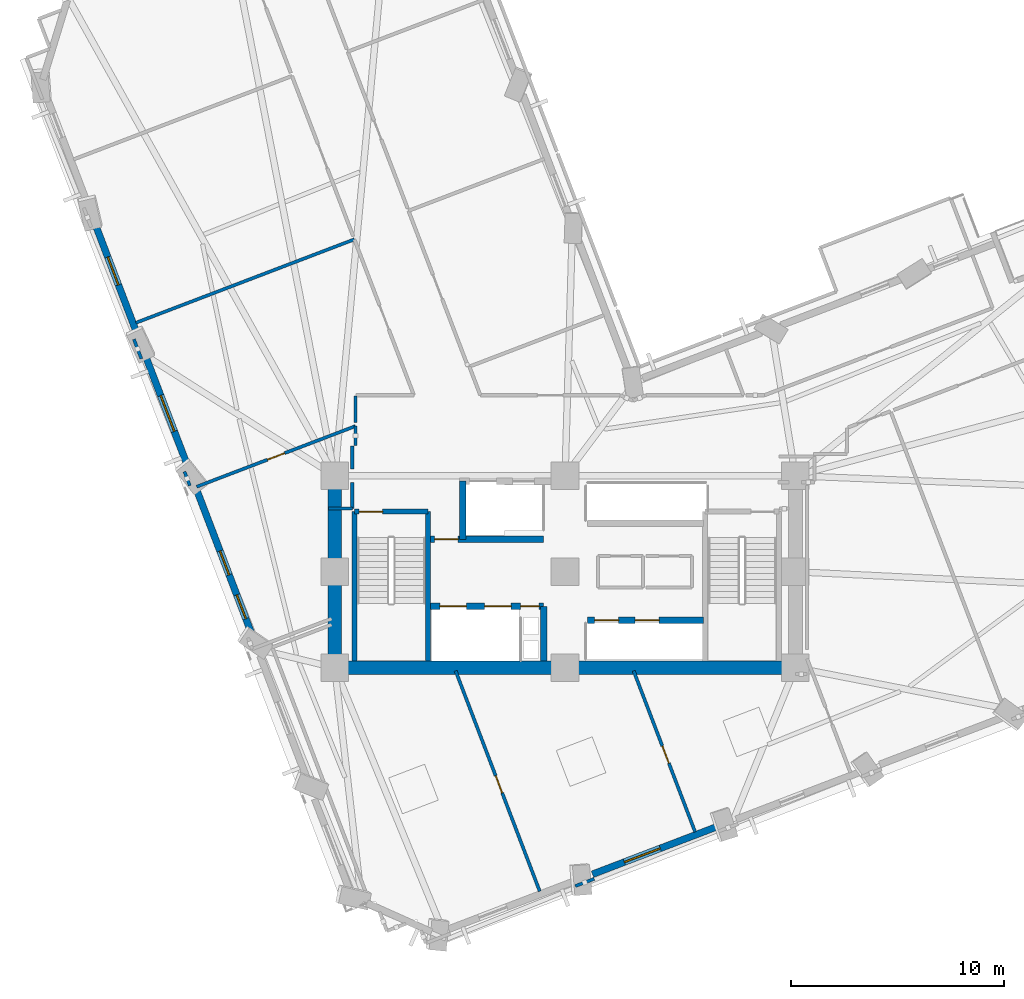
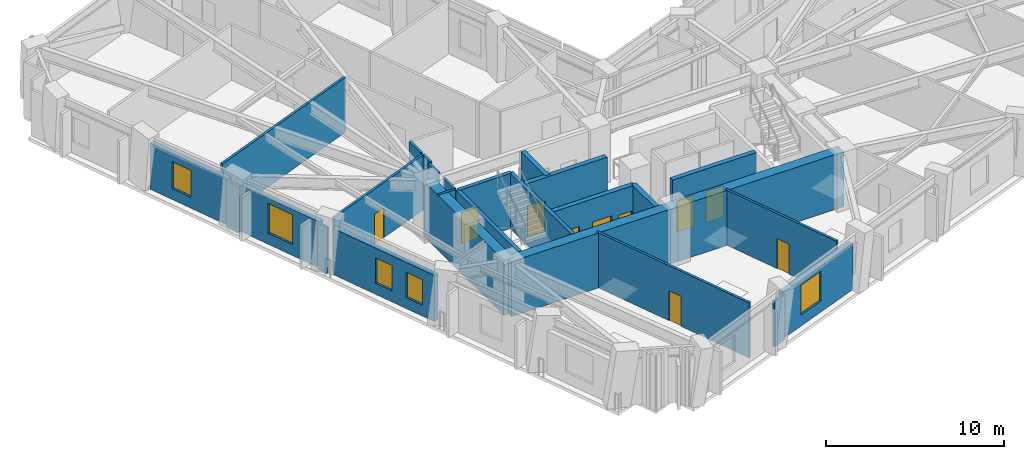
# One storey, part 8 of 15: 27 walls, 10 doors, 5 windows, 15 openings.
"""IFC4 building model written with IfcOpenShell, lengths in metres."""

from ifc_helpers import new_model, si_unit, direction, frame, frame_2d, origin, place, context, subcontext, project, spatial, rectangle, extrude, material, layer, layer_set, type_object, element, fill, save


model = new_model("IFC4")

# Units and contexts
model_context = context("Model", 3, precision=1e-05, world=origin(), true_north=direction((0.0, 1.0)))
body_context = subcontext(model_context, "Body", "Model", "MODEL_VIEW")
ifc_project = project(units=[si_unit("LENGTHUNIT", "METRE"), si_unit("AREAUNIT", "SQUARE_METRE"), si_unit("VOLUMEUNIT", "CUBIC_METRE"), si_unit("PLANEANGLEUNIT", "RADIAN"), si_unit("MASSUNIT", "GRAM", prefix="KILO")], contexts=[model_context])

# Site, building, storey
site_placement = place(None, origin())
site = spatial("IfcSite", under=ifc_project, at=site_placement, CompositionType="ELEMENT")
building_placement = place(site_placement, origin())
building = spatial("IfcBuilding", under=site, at=building_placement, Name="Gaonmaruhae Medical Tower", CompositionType="ELEMENT")
storey_placement = place(building_placement, frame((0.0, 0.0, 112.39990234375)))
storey = spatial("IfcBuildingStorey", under=building, at=storey_placement, Name="L26", CompositionType="ELEMENT", Elevation=112.39990234375)

# Walls
ifc_material_1 = material(Name="Concrete C60/75", Category="concrete")
ifc_layer_1 = layer(ifc_material_1, 0.64990234375)
ifc_layer_set_1 = layer_set([ifc_layer_1], Name="Concrete C60/75")
wall_type_1 = type_object("IfcWallType", Name="CW-650 Zone 2 Core Shear Wall", PredefinedType="SHEAR", material=ifc_layer_set_1)
for number, where, z_axis, x_axis, name in (
    (1, (14.0, 7.800048828125, 0.0), (0.0, 0.0, 1.0), (1.0, 0.0, 0.0), "L26 Core Shear Wall CSW-S1"),
    (2, (24.800048828125, 7.800048828125, 0.0), (0.0, 0.0, 1.0), (1.0, 0.0, 0.0), "L26 Core Shear Wall CSW-S2"),
):
    element("IfcWall", number, at=place(storey_placement, frame(where, z_axis=z_axis, x_axis=x_axis)), inside=storey, type_object=wall_type_1, Name=name, PredefinedType="SHEAR", context=body_context, shape_type="SweptSolid", body=[
        extrude(rectangle(XDim=10.800048828125, YDim=0.64990234375, at=frame_2d((5.39990234375, 0.0))), origin(), (0.0, 0.0, 1.0), 3.780029296875),
    ])
wall_1_placement = place(storey_placement, frame((14.0, 16.800048828125, 0.0), z_axis=(0.0, 0.0, 1.0), x_axis=(0.0, -1.0, 0.0)))
element("IfcWall", 3, at=wall_1_placement, inside=storey, type_object=wall_type_1, Name="L26 Core Shear Wall CSW-W1", PredefinedType="SHEAR", context=body_context, shape_type="SweptSolid", body=[
    extrude(rectangle(XDim=9.0, YDim=0.64990234375, at=frame_2d((4.5, 0.0))), origin(), (0.0, 0.0, 1.0), 3.780029296875),
])

# Wall, opening, window
ifc_material_2 = material(Name="Precast concrete C45/55", Category="concrete")
ifc_layer_2 = layer(ifc_material_2, 0.320068359375)
ifc_layer_set_2 = layer_set([ifc_layer_2], Name="Precast concrete C45/55")
wall_type_2 = type_object("IfcWallType", Name="EW-320 Lower Precast Masonry-Frame Facade Wall", PredefinedType="SOLIDWALL", material=ifc_layer_set_2)
wall_2_placement = place(storey_placement, frame((31.910888671875, 0.337890625, 0.0), z_axis=(0.0, 0.0, 1.0), x_axis=(-0.934208894776, -0.356726423077, 0.0)))
wall_2 = element("IfcWall", 4, at=wall_2_placement, inside=storey, type_object=wall_type_2, Name="L26 Precast Masonry-Frame Wall S02-S03", PredefinedType="SOLIDWALL", context=body_context, shape_type="SweptSolid", body=[
    extrude(rectangle(XDim=6.234130859375, YDim=0.320068359375, at=frame_2d((3.1171875, 0.0))), origin(), (0.0, 0.0, 1.0), 3.1650390625),
])
opening_1_placement = place(wall_2_placement, frame((2.83251953125, 0.0, 0.75)))
opening_1 = element("IfcOpeningElement", 5, at=opening_1_placement, cuts=wall_2, Name="Opening WN-04", PredefinedType="OPENING", context=body_context, shape_type="SweptSolid", body=[
    extrude(rectangle(XDim=1.800048828125, YDim=2.050048828125, at=frame_2d((0.89990234375, 1.02490234375))), frame((0.0, 0.169921875, 0.0), z_axis=(0.0, -1.0, 0.0), x_axis=(1.0, 0.0, 0.0)), (0.0, 0.0, 1.0), 0.340087890625),
])
ifc_material_3 = material(Name="Anodised aluminium and Low-E double glazing", Category="aluminium")
window_type_1 = type_object("IfcWindowType", Name="WN-04 Clinic & Consult Punched Window 1800x2050", PartitioningType="SINGLE_PANEL", PredefinedType="WINDOW", material=ifc_material_3)
window_1_placement = place(opening_1_placement, origin())
window_1 = element("IfcWindow", 6, at=window_1_placement, inside=storey, type_object=window_type_1, Name="L26 Modular Facade Window S02", OverallHeight=2.050048828125, OverallWidth=1.800048828125, PartitioningType="SINGLE_PANEL", PredefinedType="WINDOW", context=body_context, shape_type="SweptSolid", body=[
    extrude(rectangle(XDim=1.800048828125, YDim=2.050048828125, at=frame_2d((0.89990234375, 1.02490234375))), frame((0.0, 0.030029296875, 0.0), z_axis=(0.0, -1.0, 0.0), x_axis=(1.0, 0.0, 0.0)), (0.0, 0.0, 1.0), 0.06005859375),
])
fill(opening_1, window_1)

wall_3_placement = place(storey_placement, frame((4.794189453125, 23.28759765625, 0.0), z_axis=(0.0, 0.0, 1.0), x_axis=(-0.356736674648, 0.934204980163, 0.0)))
wall_3 = element("IfcWall", 7, at=wall_3_placement, inside=storey, type_object=wall_type_2, Name="L26 Precast Masonry-Frame Wall W02-W03", PredefinedType="SOLIDWALL", context=body_context, shape_type="SweptSolid", body=[
    extrude(rectangle(XDim=5.627685546875, YDim=0.320068359375, at=frame_2d((2.81396484375, 0.0))), origin(), (0.0, 0.0, 1.0), 3.1650390625),
])
opening_2_placement = place(wall_3_placement, frame((2.638427734375, 0.0, 0.75)))
opening_2 = element("IfcOpeningElement", 8, at=opening_2_placement, cuts=wall_3, Name="Opening WN-03", PredefinedType="OPENING", context=body_context, shape_type="SweptSolid", body=[
    extrude(rectangle(XDim=1.39990234375, YDim=1.85009765625, at=frame_2d((0.699951171875, 0.925048828125))), frame((0.0, 0.169921875, 0.0), z_axis=(0.0, -1.0, 0.0), x_axis=(1.0, 0.0, 0.0)), (0.0, 0.0, 1.0), 0.340087890625),
])
window_type_2 = type_object("IfcWindowType", Name="WN-03 Isolation Ward Punched Window 1400x1850", PartitioningType="SINGLE_PANEL", PredefinedType="WINDOW", material=ifc_material_3)
window_2_placement = place(opening_2_placement, origin())
window_2 = element("IfcWindow", 9, at=window_2_placement, inside=storey, type_object=window_type_2, Name="L26 Modular Facade Window W02", OverallHeight=1.85009765625, OverallWidth=1.39990234375, PartitioningType="SINGLE_PANEL", PredefinedType="WINDOW", context=body_context, shape_type="SweptSolid", body=[
    extrude(rectangle(XDim=1.39990234375, YDim=1.85009765625, at=frame_2d((0.699951171875, 0.925048828125))), frame((0.0, 0.030029296875, 0.0), z_axis=(0.0, -1.0, 0.0), x_axis=(1.0, 0.0, 0.0)), (0.0, 0.0, 1.0), 0.06005859375),
])
fill(opening_2, window_2)

wall_4_placement = place(storey_placement, frame((7.164794921875, 17.079833984375, 0.0), z_axis=(0.0, 0.0, 1.0), x_axis=(-0.356759039151, 0.934196439719, 0.0)))
wall_4 = element("IfcWall", 10, at=wall_4_placement, inside=storey, type_object=wall_type_2, Name="L26 Precast Masonry-Frame Wall W03-W04", PredefinedType="SOLIDWALL", context=body_context, shape_type="SweptSolid", body=[
    extrude(rectangle(XDim=5.662109375, YDim=0.320068359375, at=frame_2d((2.8310546875, 0.0))), origin(), (0.0, 0.0, 1.0), 3.1650390625),
])
opening_3_placement = place(wall_4_placement, frame((1.929931640625, 0.0, 0.75)))
opening_3 = element("IfcOpeningElement", 11, at=opening_3_placement, cuts=wall_4, Name="Opening WN-04", PredefinedType="OPENING", context=body_context, shape_type="SweptSolid", body=[
    extrude(rectangle(XDim=1.800048828125, YDim=2.050048828125, at=frame_2d((0.89990234375, 1.02490234375))), frame((0.0, 0.169921875, 0.0), z_axis=(0.0, -1.0, 0.0), x_axis=(1.0, 0.0, 0.0)), (0.0, 0.0, 1.0), 0.340087890625),
])
window_3_placement = place(opening_3_placement, origin())
window_3 = element("IfcWindow", 12, at=window_3_placement, inside=storey, type_object=window_type_1, Name="L26 Modular Facade Window W03", OverallHeight=2.050048828125, OverallWidth=1.800048828125, PartitioningType="SINGLE_PANEL", PredefinedType="WINDOW", context=body_context, shape_type="SweptSolid", body=[
    extrude(rectangle(XDim=1.800048828125, YDim=2.050048828125, at=frame_2d((0.89990234375, 1.02490234375))), frame((0.0, 0.030029296875, 0.0), z_axis=(0.0, -1.0, 0.0), x_axis=(1.0, 0.0, 0.0)), (0.0, 0.0, 1.0), 0.06005859375),
])
fill(opening_3, window_3)

# Wall, openings, windows
wall_5_placement = place(storey_placement, frame((10.144287109375, 9.277099609375, 0.0), z_axis=(0.0, 0.0, 1.0), x_axis=(-0.356744200201, 0.934202106411, 0.0)))
wall_5 = element("IfcWall", 13, at=wall_5_placement, inside=storey, type_object=wall_type_2, Name="L26 Precast Masonry-Frame Wall W04-W05", PredefinedType="SOLIDWALL", context=body_context, shape_type="SweptSolid", body=[
    extrude(rectangle(XDim=7.3603515625, YDim=0.320068359375, at=frame_2d((3.68017578125, 0.0))), origin(), (0.0, 0.0, 1.0), 3.1650390625),
])
opening_4_placement = place(wall_5_placement, frame((3.080810546875, 0.0, 0.75)))
opening_4 = element("IfcOpeningElement", 14, at=opening_4_placement, cuts=wall_5, Name="Opening WN-05", PredefinedType="OPENING", context=body_context, shape_type="SweptSolid", body=[
    extrude(rectangle(XDim=1.199951171875, YDim=1.75, at=frame_2d((0.60009765625, 0.875))), frame((0.0, 0.169921875, 0.0), z_axis=(0.0, -1.0, 0.0), x_axis=(1.0, 0.0, 0.0)), (0.0, 0.0, 1.0), 0.340087890625),
])
opening_5_placement = place(wall_5_placement, frame((0.876220703125, 0.0, 0.75)))
opening_5 = element("IfcOpeningElement", 15, at=opening_5_placement, cuts=wall_5, Name="Opening WN-05", PredefinedType="OPENING", context=body_context, shape_type="SweptSolid", body=[
    extrude(rectangle(XDim=1.199951171875, YDim=1.75, at=frame_2d((0.60009765625, 0.875))), frame((0.0, 0.169921875, 0.0), z_axis=(0.0, -1.0, 0.0), x_axis=(1.0, 0.0, 0.0)), (0.0, 0.0, 1.0), 0.340087890625),
])
window_type_3 = type_object("IfcWindowType", Name="WN-05 Support & Staff Punched Window 1200x1750", PartitioningType="SINGLE_PANEL", PredefinedType="WINDOW", material=ifc_material_3)
window_4_placement = place(opening_4_placement, origin())
window_4 = element("IfcWindow", 16, at=window_4_placement, inside=storey, type_object=window_type_3, Name="L26 Modular Facade Window W04", OverallHeight=1.75, OverallWidth=1.199951171875, PartitioningType="SINGLE_PANEL", PredefinedType="WINDOW", context=body_context, shape_type="SweptSolid", body=[
    extrude(rectangle(XDim=1.199951171875, YDim=1.75, at=frame_2d((0.60009765625, 0.875))), frame((0.0, 0.030029296875, 0.0), z_axis=(0.0, -1.0, 0.0), x_axis=(1.0, 0.0, 0.0)), (0.0, 0.0, 1.0), 0.06005859375),
])
fill(opening_4, window_4)
window_5_placement = place(opening_5_placement, origin())
window_5 = element("IfcWindow", 17, at=window_5_placement, inside=storey, type_object=window_type_3, Name="L26 Modular Facade Window W04B", OverallHeight=1.75, OverallWidth=1.199951171875, PartitioningType="SINGLE_PANEL", PredefinedType="WINDOW", context=body_context, shape_type="SweptSolid", body=[
    extrude(rectangle(XDim=1.199951171875, YDim=1.75, at=frame_2d((0.60009765625, 0.875))), frame((0.0, 0.030029296875, 0.0), z_axis=(0.0, -1.0, 0.0), x_axis=(1.0, 0.0, 0.0)), (0.0, 0.0, 1.0), 0.06005859375),
])
fill(opening_5, window_5)

# Wall, opening, door
ifc_material_4 = material(Name="Gypsum board partition", Category="gypsum")
ifc_layer_3 = layer(ifc_material_4, 0.14990234375)
ifc_layer_set_3 = layer_set([ifc_layer_3], Name="Gypsum board partition")
wall_type_3 = type_object("IfcWallType", Name="PW-150 Rated Clinical Corridor Partition", PredefinedType="PARTITIONING", material=ifc_layer_set_3)
wall_6_placement = place(storey_placement, frame((19.6669921875, 7.65087890625, 0.0), z_axis=(0.0, 0.0, 1.0), x_axis=(0.356640290247, -0.934241779933, 0.0)))
wall_6 = element("IfcWall", 18, at=wall_6_placement, inside=storey, type_object=wall_type_3, Name="L26 Interior Partition L26-SUP01-11", PredefinedType="PARTITIONING", context=body_context, shape_type="SweptSolid", body=[
    extrude(rectangle(XDim=11.064453125, YDim=0.14990234375, at=frame_2d((5.5322265625, 0.0))), origin(), (0.0, 0.0, 1.0), 3.780029296875),
])
opening_6_placement = place(wall_6_placement, frame((5.2626953125, 0.0, 0.0)))
opening_6 = element("IfcOpeningElement", 19, at=opening_6_placement, cuts=wall_6, Name="Opening AD-01", PredefinedType="OPENING", context=body_context, shape_type="SweptSolid", body=[
    extrude(rectangle(XDim=0.860107421875, YDim=2.06005859375, at=frame_2d((0.43017578125, 1.030029296875))), frame((0.0, 0.0849609375, 0.0), z_axis=(0.0, -1.0, 0.0), x_axis=(1.0, 0.0, 0.0)), (0.0, 0.0, 1.0), 0.169921875),
])
ifc_material_5 = material(Name="Powder-coated steel access door", Category="steel")
door_type_1 = type_object("IfcDoorType", Name="AD-01 Riser & Closet Access Fire Door 860x2060", OperationType="NOTDEFINED", PredefinedType="DOOR", material=ifc_material_5)
door_1_placement = place(opening_6_placement, origin())
door_1 = element("IfcDoor", 20, at=door_1_placement, inside=storey, type_object=door_type_1, Name="L26 Clinical Biomedical Charting Office Sliding Door", OperationType="SLIDING_TO_LEFT", OverallHeight=2.06005859375, OverallWidth=0.860107421875, PredefinedType="DOOR", context=body_context, shape_type="SweptSolid", body=[
    extrude(rectangle(XDim=0.860107421875, YDim=2.06005859375, at=frame_2d((0.43017578125, 1.030029296875))), frame((0.0, 0.02490234375, 0.0), z_axis=(0.0, -1.0, 0.0), x_axis=(1.0, 0.0, 0.0)), (0.0, 0.0, 1.0), 0.050048828125),
])
fill(opening_6, door_1)

# Wall
wall_7_placement = place(storey_placement, frame((26.1689453125, -2.10107421875, 0.0), z_axis=(0.0, 0.0, 1.0), x_axis=(-0.934406400597, -0.356208756943, 0.0)))
element("IfcWall", 21, at=wall_7_placement, inside=storey, type_object=wall_type_3, Name="L26 Interior Partition L26-SUP02-15", PredefinedType="PARTITIONING", context=body_context, shape_type="SweptSolid", body=[
    extrude(rectangle(XDim=0.951416015625, YDim=0.14990234375, at=frame_2d((0.4755859375, 0.0))), origin(), (0.0, 0.0, 1.0), 3.1650390625),
])

# Wall, opening, door
wall_8_placement = place(storey_placement, frame((28.01611328125, 7.65087890625, 0.0), z_axis=(0.0, 0.0, 1.0), x_axis=(0.356612934279, -0.934252222424, 0.0)))
wall_8 = element("IfcWall", 22, at=wall_8_placement, inside=storey, type_object=wall_type_3, Name="L26 Interior Partition L26-SUP02-16", PredefinedType="PARTITIONING", context=body_context, shape_type="SweptSolid", body=[
    extrude(rectangle(XDim=8.086669921875, YDim=0.14990234375, at=frame_2d((4.04345703125, 0.0))), origin(), (0.0, 0.0, 1.0), 3.780029296875),
])
opening_7_placement = place(wall_8_placement, frame((3.773681640625, 0.0, 0.0)))
opening_7 = element("IfcOpeningElement", 23, at=opening_7_placement, cuts=wall_8, Name="Opening AD-01", PredefinedType="OPENING", context=body_context, shape_type="SweptSolid", body=[
    extrude(rectangle(XDim=0.860107421875, YDim=2.06005859375, at=frame_2d((0.43017578125, 1.030029296875))), frame((0.0, 0.0849609375, 0.0), z_axis=(0.0, -1.0, 0.0), x_axis=(1.0, 0.0, 0.0)), (0.0, 0.0, 1.0), 0.169921875),
])
door_2_placement = place(opening_7_placement, origin())
door_2 = element("IfcDoor", 24, at=door_2_placement, inside=storey, type_object=door_type_1, Name="L26 Clinical Biomedical Charting Office Sliding Door", OperationType="SLIDING_TO_LEFT", OverallHeight=2.06005859375, OverallWidth=0.860107421875, PredefinedType="DOOR", context=body_context, shape_type="SweptSolid", body=[
    extrude(rectangle(XDim=0.860107421875, YDim=2.06005859375, at=frame_2d((0.43017578125, 1.030029296875))), frame((0.0, 0.02490234375, 0.0), z_axis=(0.0, -1.0, 0.0), x_axis=(1.0, 0.0, 0.0)), (0.0, 0.0, 1.0), 0.050048828125),
])
fill(opening_7, door_2)

# Walls
wall_9_placement = place(storey_placement, frame((14.820068359375, 18.199951171875, 0.0), z_axis=(0.0, 0.0, 1.0), x_axis=(0.0, -1.0, 0.0)))
element("IfcWall", 25, at=wall_9_placement, inside=storey, type_object=wall_type_3, Name="L26 Interior Partition L26-WOF07-39", PredefinedType="PARTITIONING", context=body_context, shape_type="SweptSolid", body=[
    extrude(rectangle(XDim=1.091064453125, YDim=0.14990234375, at=frame_2d((0.54541015625, 0.0))), origin(), (0.0, 0.0, 1.0), 3.780029296875),
])
wall_10_placement = place(storey_placement, frame((14.820068359375, 16.490966796875, 0.0), z_axis=(0.0, 0.0, 1.0), x_axis=(0.0, -1.0, 0.0)))
element("IfcWall", 26, at=wall_10_placement, inside=storey, type_object=wall_type_3, Name="L26 Interior Partition L26-WOF07-40", PredefinedType="PARTITIONING", context=body_context, shape_type="SweptSolid", body=[
    extrude(rectangle(XDim=1.23095703125, YDim=0.14990234375, at=frame_2d((0.615478515625, 0.0))), origin(), (0.0, 0.0, 1.0), 3.780029296875),
])
wall_11_placement = place(storey_placement, frame((14.820068359375, 15.260009765625, 0.0), z_axis=(0.0, 0.0, 1.0), x_axis=(-1.0, 0.0, 0.0)))
element("IfcWall", 27, at=wall_11_placement, inside=storey, type_object=wall_type_3, Name="L26 Interior Partition L26-WOF07-41", PredefinedType="PARTITIONING", context=body_context, shape_type="SweptSolid", body=[
    extrude(rectangle(XDim=1.1201171875, YDim=0.14990234375, at=frame_2d((0.56005859375, 0.0))), origin(), (0.0, 0.0, 1.0), 3.780029296875),
])

# Wall, opening, door
wall_12_placement = place(storey_placement, frame((7.52392578125, 16.2880859375, 0.0), z_axis=(0.0, 0.0, 1.0), x_axis=(0.934219128536, 0.356699621358, 0.0)))
wall_12 = element("IfcWall", 28, at=wall_12_placement, inside=storey, type_object=wall_type_3, Name="L26 Interior Partition L26-WOF07-44", PredefinedType="PARTITIONING", context=body_context, shape_type="SweptSolid", body=[
    extrude(rectangle(XDim=7.970458984375, YDim=0.14990234375, at=frame_2d((3.9853515625, 0.0))), origin(), (0.0, 0.0, 1.0), 3.780029296875),
])
opening_8_placement = place(wall_12_placement, frame((3.55517578125, 0.0, 0.0)))
opening_8 = element("IfcOpeningElement", 29, at=opening_8_placement, cuts=wall_12, Name="Opening AD-01", PredefinedType="OPENING", context=body_context, shape_type="SweptSolid", body=[
    extrude(rectangle(XDim=0.860107421875, YDim=2.06005859375, at=frame_2d((0.43017578125, 1.030029296875))), frame((0.0, 0.0849609375, 0.0), z_axis=(0.0, -1.0, 0.0), x_axis=(1.0, 0.0, 0.0)), (0.0, 0.0, 1.0), 0.169921875),
])
door_3_placement = place(opening_8_placement, origin())
door_3 = element("IfcDoor", 30, at=door_3_placement, inside=storey, type_object=door_type_1, Name="L26 Ward Physician Reporting Office Sliding Door", OperationType="SLIDING_TO_LEFT", OverallHeight=2.06005859375, OverallWidth=0.860107421875, PredefinedType="DOOR", context=body_context, shape_type="SweptSolid", body=[
    extrude(rectangle(XDim=0.860107421875, YDim=2.06005859375, at=frame_2d((0.43017578125, 1.030029296875))), frame((0.0, 0.02490234375, 0.0), z_axis=(0.0, -1.0, 0.0), x_axis=(1.0, 0.0, 0.0)), (0.0, 0.0, 1.0), 0.050048828125),
])
fill(opening_8, door_3)

# Walls
wall_13_placement = place(storey_placement, frame((14.969970703125, 19.131103515625, 0.0), z_axis=(0.0, 0.0, 1.0), x_axis=(0.0, -1.0, 0.0)))
element("IfcWall", 31, at=wall_13_placement, inside=storey, type_object=wall_type_3, Name="L26 Interior Partition L26-WOF07-45", PredefinedType="PARTITIONING", context=body_context, shape_type="SweptSolid", body=[
    extrude(rectangle(XDim=0.901123046875, YDim=0.14990234375, at=frame_2d((0.45068359375, 0.0))), origin(), (0.0, 0.0, 1.0), 3.780029296875),
])
wall_14_placement = place(storey_placement, frame((14.969970703125, 20.550048828125, 0.0), z_axis=(0.0, 0.0, 1.0), x_axis=(0.0, -1.0, 0.0)))
element("IfcWall", 32, at=wall_14_placement, inside=storey, type_object=wall_type_3, Name="L26 Interior Partition L26-WOF08-46", PredefinedType="PARTITIONING", context=body_context, shape_type="SweptSolid", body=[
    extrude(rectangle(XDim=1.248046875, YDim=0.14990234375, at=frame_2d((0.6240234375, 0.0))), origin(), (0.0, 0.0, 1.0), 3.780029296875),
])
wall_15_placement = place(storey_placement, frame((7.202880859375, 16.3359375, 0.0), z_axis=(0.0, 0.0, 1.0), x_axis=(-0.356854607456, 0.934159937665, 0.0)))
element("IfcWall", 33, at=wall_15_placement, inside=storey, type_object=wall_type_3, Name="L26 Interior Partition L26-WOF08-47", PredefinedType="PARTITIONING", context=body_context, shape_type="SweptSolid", body=[
    extrude(rectangle(XDim=0.708740234375, YDim=0.14990234375, at=frame_2d((0.3544921875, 0.0))), origin(), (0.0, 0.0, 1.0), 3.1650390625),
])
wall_16_placement = place(storey_placement, frame((4.929931640625, 22.287109375, 0.0), z_axis=(0.0, 0.0, 1.0), x_axis=(-0.356997215176, 0.9341054482, 0.0)))
element("IfcWall", 34, at=wall_16_placement, inside=storey, type_object=wall_type_3, Name="L26 Interior Partition L26-WOF08-48", PredefinedType="PARTITIONING", context=body_context, shape_type="SweptSolid", body=[
    extrude(rectangle(XDim=0.982666015625, YDim=0.14990234375, at=frame_2d((0.4912109375, 0.0))), origin(), (0.0, 0.0, 1.0), 3.1650390625),
])
wall_17_placement = place(storey_placement, frame((4.675048828125, 23.97705078125, 0.0), z_axis=(0.0, 0.0, 1.0), x_axis=(0.934201387947, 0.356746081629, 0.0)))
element("IfcWall", 35, at=wall_17_placement, inside=storey, type_object=wall_type_3, Name="L26 Interior Partition L26-WOF08-49", PredefinedType="PARTITIONING", context=body_context, shape_type="SweptSolid", body=[
    extrude(rectangle(XDim=10.96533203125, YDim=0.14990234375, at=frame_2d((5.482666015625, 0.0))), origin(), (0.0, 0.0, 1.0), 3.780029296875),
])

# Wall, opening, door
ifc_material_6 = material(Name="Concrete C50/60", Category="concrete")
ifc_layer_4 = layer(ifc_material_6, 0.239990234375)
ifc_layer_set_4 = layer_set([ifc_layer_4], Name="Concrete C50/60")
wall_type_4 = type_object("IfcWallType", Name="SW-240 Dogleg Stair Tight Shaft Wall", PredefinedType="SOLIDWALL", material=ifc_layer_set_4)
wall_18_placement = place(storey_placement, frame((14.919921875, 15.1201171875, 0.0), z_axis=(0.0, 0.0, 1.0), x_axis=(1.0, 0.0, 0.0)))
wall_18 = element("IfcWall", 36, at=wall_18_placement, inside=storey, type_object=wall_type_4, Name="L26 ST-01 Stair Shaft Wall SHW-ST-01-N", PredefinedType="SOLIDWALL", context=body_context, shape_type="SweptSolid", body=[
    extrude(rectangle(XDim=3.4599609375, YDim=0.239990234375, at=frame_2d((1.72998046875, 0.0))), origin(), (0.0, 0.0, 1.0), 3.780029296875),
])
opening_9_placement = place(wall_18_placement, frame((0.219970703125, 0.0, 0.0)))
opening_9 = element("IfcOpeningElement", 37, at=opening_9_placement, cuts=wall_18, Name="Opening FD-01", PredefinedType="OPENING", context=body_context, shape_type="SweptSolid", body=[
    extrude(rectangle(XDim=1.10009765625, YDim=2.14990234375, at=frame_2d((0.550048828125, 1.074951171875))), frame((0.0, 0.1298828125, 0.0), z_axis=(0.0, -1.0, 0.0), x_axis=(1.0, 0.0, 0.0)), (0.0, 0.0, 1.0), 0.260009765625),
])
ifc_material_7 = material(Name="Powder-coated steel fire door", Category="steel")
door_type_2 = type_object("IfcDoorType", Name="FD-01 Escape Stair Protected Fire Door 1100x2150", OperationType="NOTDEFINED", PredefinedType="DOOR", material=ifc_material_7)
door_4_placement = place(opening_9_placement, origin())
door_4 = element("IfcDoor", 38, at=door_4_placement, inside=storey, type_object=door_type_2, Name="L26 ST-01 Protected Escape Stair Door", OperationType="SINGLE_SWING_RIGHT", OverallHeight=2.14990234375, OverallWidth=1.10009765625, PredefinedType="DOOR", context=body_context, shape_type="SweptSolid", body=[
    extrude(rectangle(XDim=1.10009765625, YDim=2.14990234375, at=frame_2d((0.550048828125, 1.074951171875))), frame((0.0, 0.02490234375, 0.0), z_axis=(0.0, -1.0, 0.0), x_axis=(1.0, 0.0, 0.0)), (0.0, 0.0, 1.0), 0.050048828125),
])
fill(opening_9, door_4)

# Walls
for number, where, z_axis, x_axis, name in (
    (39, (18.3798828125, 15.1201171875, 0.0), (0.0, 0.0, 1.0), (0.0, -1.0, 0.0), "L26 ST-01 Stair Shaft Wall SHW-ST-01-E"),
    (40, (14.919921875, 8.125, 0.0), (0.0, 0.0, 1.0), (0.0, 1.0, 0.0), "L26 ST-01 Stair Shaft Wall SHW-ST-01-W"),
):
    element("IfcWall", number, at=place(storey_placement, frame(where, z_axis=z_axis, x_axis=x_axis)), inside=storey, type_object=wall_type_4, Name=name, PredefinedType="SOLIDWALL", context=body_context, shape_type="SweptSolid", body=[
        extrude(rectangle(XDim=6.9951171875, YDim=0.239990234375, at=frame_2d((3.49755859375, 0.0))), origin(), (0.0, 0.0, 1.0), 3.780029296875),
    ])

# Wall, openings, doors
ifc_layer_5 = layer(ifc_material_6, 0.300048828125)
ifc_layer_set_5 = layer_set([ifc_layer_5], Name="Concrete C50/60")
wall_type_5 = type_object("IfcWallType", Name="SW-300 Stair & Lift Hoistway Shaft Wall", PredefinedType="SOLIDWALL", material=ifc_layer_set_5)
wall_19_placement = place(storey_placement, frame((18.5, 10.679931640625, 0.0), z_axis=(0.0, 0.0, 1.0), x_axis=(1.0, 0.0, 0.0)))
wall_19 = element("IfcWall", 41, at=wall_19_placement, inside=storey, type_object=wall_type_5, Name="L26 Shaft Enclosure Wall SHW-FFN", PredefinedType="SOLIDWALL", context=body_context, shape_type="SweptSolid", body=[
    extrude(rectangle(XDim=5.300048828125, YDim=0.300048828125, at=frame_2d((2.64990234375, 0.0))), origin(), (0.0, 0.0, 1.0), 3.780029296875),
])
opening_10_placement = place(wall_19_placement, frame((4.219970703125, 0.0, 0.0)))
opening_10 = element("IfcOpeningElement", 42, at=opening_10_placement, cuts=wall_19, Name="Opening AD-01", PredefinedType="OPENING", context=body_context, shape_type="SweptSolid", body=[
    extrude(rectangle(XDim=0.860107421875, YDim=2.06005859375, at=frame_2d((0.43017578125, 1.030029296875))), frame((0.0, 0.16015625, 0.0), z_axis=(0.0, -1.0, 0.0), x_axis=(1.0, 0.0, 0.0)), (0.0, 0.0, 1.0), 0.320068359375),
])
opening_11_placement = place(wall_19_placement, frame((0.425048828125, 0.0, 0.0)))
opening_11 = element("IfcOpeningElement", 43, at=opening_11_placement, cuts=wall_19, Name="Opening LD-F1", PredefinedType="OPENING", context=body_context, shape_type="SweptSolid", body=[
    extrude(rectangle(XDim=1.25, YDim=2.179931640625, at=frame_2d((0.625, 1.08984375))), frame((0.0, 0.16015625, 0.0), z_axis=(0.0, -1.0, 0.0), x_axis=(1.0, 0.0, 0.0)), (0.0, 0.0, 1.0), 0.320068359375),
])
opening_12_placement = place(wall_19_placement, frame((2.52490234375, 0.0, 0.0)))
opening_12 = element("IfcOpeningElement", 44, at=opening_12_placement, cuts=wall_19, Name="Opening LD-F1", PredefinedType="OPENING", context=body_context, shape_type="SweptSolid", body=[
    extrude(rectangle(XDim=1.25, YDim=2.179931640625, at=frame_2d((0.625, 1.08984375))), frame((0.0, 0.16015625, 0.0), z_axis=(0.0, -1.0, 0.0), x_axis=(1.0, 0.0, 0.0)), (0.0, 0.0, 1.0), 0.320068359375),
])
door_5_placement = place(opening_10_placement, origin())
door_5 = element("IfcDoor", 45, at=door_5_placement, inside=storey, type_object=door_type_1, Name="L26 Medical Gas and MEP Riser Access Door", OperationType="SINGLE_SWING_RIGHT", OverallHeight=2.06005859375, OverallWidth=0.860107421875, PredefinedType="DOOR", context=body_context, shape_type="SweptSolid", body=[
    extrude(rectangle(XDim=0.860107421875, YDim=2.06005859375, at=frame_2d((0.43017578125, 1.030029296875))), frame((0.0, 0.02490234375, 0.0), z_axis=(0.0, -1.0, 0.0), x_axis=(1.0, 0.0, 0.0)), (0.0, 0.0, 1.0), 0.050048828125),
])
fill(opening_10, door_5)
ifc_material_8 = material(Name="Brushed stainless steel 316L landing door", Category="steel")
door_type_3 = type_object("IfcDoorType", Name="LD-F1 Firefighting & Bed Lift Sliding Landing Door 1250x2180", OperationType="NOTDEFINED", PredefinedType="DOOR", material=ifc_material_8)
door_6_placement = place(opening_11_placement, origin())
door_6 = element("IfcDoor", 46, at=door_6_placement, inside=storey, type_object=door_type_3, Name="L26 Firefighting Lift Landing Door FFL-01", OperationType="DOUBLE_DOOR_SLIDING", OverallHeight=2.179931640625, OverallWidth=1.25, PredefinedType="DOOR", context=body_context, shape_type="SweptSolid", body=[
    extrude(rectangle(XDim=1.25, YDim=2.179931640625, at=frame_2d((0.625, 1.08984375))), frame((0.0, 0.02490234375, 0.0), z_axis=(0.0, -1.0, 0.0), x_axis=(1.0, 0.0, 0.0)), (0.0, 0.0, 1.0), 0.050048828125),
])
fill(opening_11, door_6)
door_7_placement = place(opening_12_placement, origin())
door_7 = element("IfcDoor", 47, at=door_7_placement, inside=storey, type_object=door_type_3, Name="L26 Firefighting Lift Landing Door FFL-02", OperationType="DOUBLE_DOOR_SLIDING", OverallHeight=2.179931640625, OverallWidth=1.25, PredefinedType="DOOR", context=body_context, shape_type="SweptSolid", body=[
    extrude(rectangle(XDim=1.25, YDim=2.179931640625, at=frame_2d((0.625, 1.08984375))), frame((0.0, 0.02490234375, 0.0), z_axis=(0.0, -1.0, 0.0), x_axis=(1.0, 0.0, 0.0)), (0.0, 0.0, 1.0), 0.050048828125),
])
fill(opening_12, door_7)

# Wall, opening, door
wall_20_placement = place(storey_placement, frame((18.5, 13.820068359375, 0.0), z_axis=(0.0, 0.0, 1.0), x_axis=(1.0, 0.0, 0.0)))
wall_20 = element("IfcWall", 48, at=wall_20_placement, inside=storey, type_object=wall_type_5, Name="L26 Shaft Enclosure Wall SHW-FFL", PredefinedType="SOLIDWALL", context=body_context, shape_type="SweptSolid", body=[
    extrude(rectangle(XDim=5.300048828125, YDim=0.300048828125, at=frame_2d((2.64990234375, 0.0))), origin(), (0.0, 0.0, 1.0), 3.780029296875),
])
opening_13_placement = place(wall_20_placement, frame((0.179931640625, 0.0, 0.0)))
opening_13 = element("IfcOpeningElement", 49, at=opening_13_placement, cuts=wall_20, Name="Opening FD-01", PredefinedType="OPENING", context=body_context, shape_type="SweptSolid", body=[
    extrude(rectangle(XDim=1.10009765625, YDim=2.14990234375, at=frame_2d((0.550048828125, 1.074951171875))), frame((0.0, 0.16015625, 0.0), z_axis=(0.0, -1.0, 0.0), x_axis=(1.0, 0.0, 0.0)), (0.0, 0.0, 1.0), 0.320068359375),
])
door_8_placement = place(opening_13_placement, origin())
door_8 = element("IfcDoor", 50, at=door_8_placement, inside=storey, type_object=door_type_2, Name="L26 Firefighting Lobby Smoke Door", OperationType="SINGLE_SWING_LEFT", OverallHeight=2.14990234375, OverallWidth=1.10009765625, PredefinedType="DOOR", context=body_context, shape_type="SweptSolid", body=[
    extrude(rectangle(XDim=1.10009765625, YDim=2.14990234375, at=frame_2d((0.550048828125, 1.074951171875))), frame((0.0, 0.02490234375, 0.0), z_axis=(0.0, -1.0, 0.0), x_axis=(1.0, 0.0, 0.0)), (0.0, 0.0, 1.0), 0.050048828125),
])
fill(opening_13, door_8)

# Walls
wall_21_placement = place(storey_placement, frame((23.800048828125, 8.125, 0.0), z_axis=(0.0, 0.0, 1.0), x_axis=(0.0, 1.0, 0.0)))
element("IfcWall", 51, at=wall_21_placement, inside=storey, type_object=wall_type_5, Name="L26 Shaft Enclosure Wall SHW-FFE", PredefinedType="SOLIDWALL", context=body_context, shape_type="SweptSolid", body=[
    extrude(rectangle(XDim=2.554931640625, YDim=0.300048828125, at=frame_2d((1.27734375, 0.0))), origin(), (0.0, 0.0, 1.0), 3.780029296875),
])
wall_22_placement = place(storey_placement, frame((20.0, 13.820068359375, 0.0), z_axis=(0.0, 0.0, 1.0), x_axis=(0.0, 1.0, 0.0)))
element("IfcWall", 52, at=wall_22_placement, inside=storey, type_object=wall_type_5, Name="L26 Shaft Enclosure Wall SHW-BDW", PredefinedType="SOLIDWALL", context=body_context, shape_type="SweptSolid", body=[
    extrude(rectangle(XDim=2.72998046875, YDim=0.300048828125, at=frame_2d((1.364990234375, 0.0))), origin(), (0.0, 0.0, 1.0), 3.780029296875),
])

# Wall, openings, doors
wall_23_placement = place(storey_placement, frame((25.85009765625, 10.02001953125, 0.0), z_axis=(0.0, 0.0, 1.0), x_axis=(1.0, 0.0, 0.0)))
wall_23 = element("IfcWall", 53, at=wall_23_placement, inside=storey, type_object=wall_type_5, Name="L26 Shaft Enclosure Wall SHW-PLS", PredefinedType="SOLIDWALL", context=body_context, shape_type="SweptSolid", body=[
    extrude(rectangle(XDim=5.449951171875, YDim=0.300048828125, at=frame_2d((2.72509765625, 0.0))), origin(), (0.0, 0.0, 1.0), 3.780029296875),
])
opening_14_placement = place(wall_23_placement, frame((0.340087890625, 0.0, 0.0)))
opening_14 = element("IfcOpeningElement", 54, at=opening_14_placement, cuts=wall_23, Name="Opening LD-P1", PredefinedType="OPENING", context=body_context, shape_type="SweptSolid", body=[
    extrude(rectangle(XDim=1.1201171875, YDim=2.14990234375, at=frame_2d((0.56005859375, 1.074951171875))), frame((0.0, 0.16015625, 0.0), z_axis=(0.0, -1.0, 0.0), x_axis=(1.0, 0.0, 0.0)), (0.0, 0.0, 1.0), 0.320068359375),
])
opening_15_placement = place(wall_23_placement, frame((2.239990234375, 0.0, 0.0)))
opening_15 = element("IfcOpeningElement", 55, at=opening_15_placement, cuts=wall_23, Name="Opening LD-P1", PredefinedType="OPENING", context=body_context, shape_type="SweptSolid", body=[
    extrude(rectangle(XDim=1.1201171875, YDim=2.14990234375, at=frame_2d((0.56005859375, 1.074951171875))), frame((0.0, 0.16015625, 0.0), z_axis=(0.0, -1.0, 0.0), x_axis=(1.0, 0.0, 0.0)), (0.0, 0.0, 1.0), 0.320068359375),
])
ifc_material_9 = material(Name="Brushed stainless steel 304 landing door", Category="steel")
door_type_4 = type_object("IfcDoorType", Name="LD-P1 Passenger Lift Sliding Landing Door 1120x2150", OperationType="NOTDEFINED", PredefinedType="DOOR", material=ifc_material_9)
door_9_placement = place(opening_14_placement, origin())
door_9 = element("IfcDoor", 56, at=door_9_placement, inside=storey, type_object=door_type_4, Name="L26 Passenger Lift Landing Door PL-L1", OperationType="DOUBLE_DOOR_SLIDING", OverallHeight=2.14990234375, OverallWidth=1.1201171875, PredefinedType="DOOR", context=body_context, shape_type="SweptSolid", body=[
    extrude(rectangle(XDim=1.1201171875, YDim=2.14990234375, at=frame_2d((0.56005859375, 1.074951171875))), frame((0.0, 0.02490234375, 0.0), z_axis=(0.0, -1.0, 0.0), x_axis=(1.0, 0.0, 0.0)), (0.0, 0.0, 1.0), 0.050048828125),
])
fill(opening_14, door_9)
door_10_placement = place(opening_15_placement, origin())
door_10 = element("IfcDoor", 57, at=door_10_placement, inside=storey, type_object=door_type_4, Name="L26 Passenger Lift Landing Door PL-L2", OperationType="DOUBLE_DOOR_SLIDING", OverallHeight=2.14990234375, OverallWidth=1.1201171875, PredefinedType="DOOR", context=body_context, shape_type="SweptSolid", body=[
    extrude(rectangle(XDim=1.1201171875, YDim=2.14990234375, at=frame_2d((0.56005859375, 1.074951171875))), frame((0.0, 0.02490234375, 0.0), z_axis=(0.0, -1.0, 0.0), x_axis=(1.0, 0.0, 0.0)), (0.0, 0.0, 1.0), 0.050048828125),
])
fill(opening_15, door_10)

save(model, "model.ifc")
